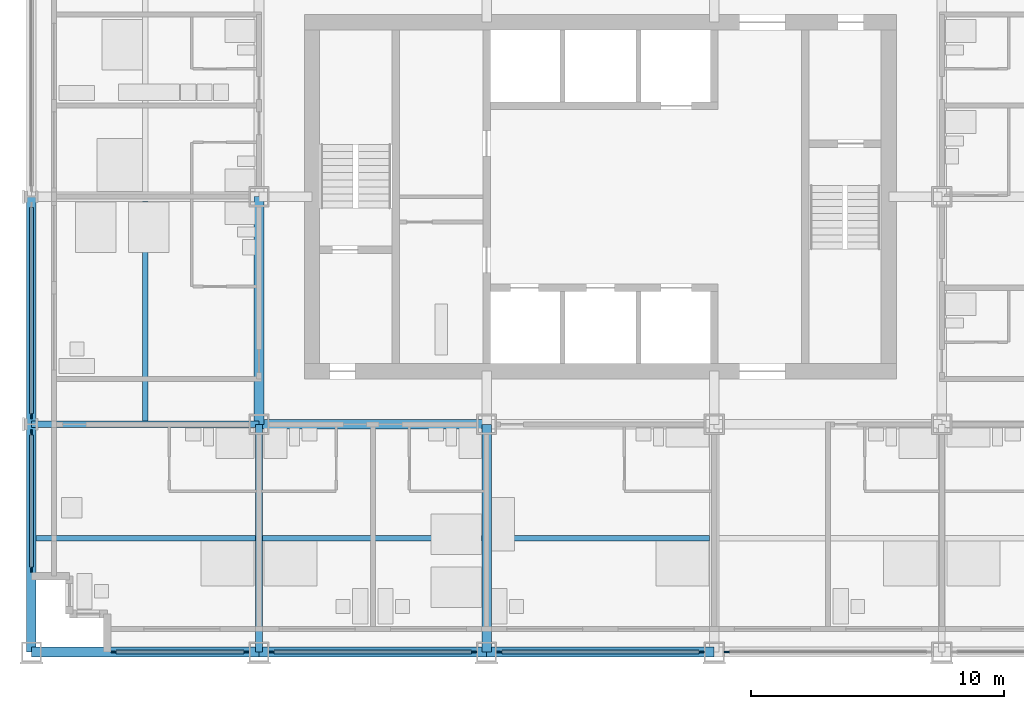
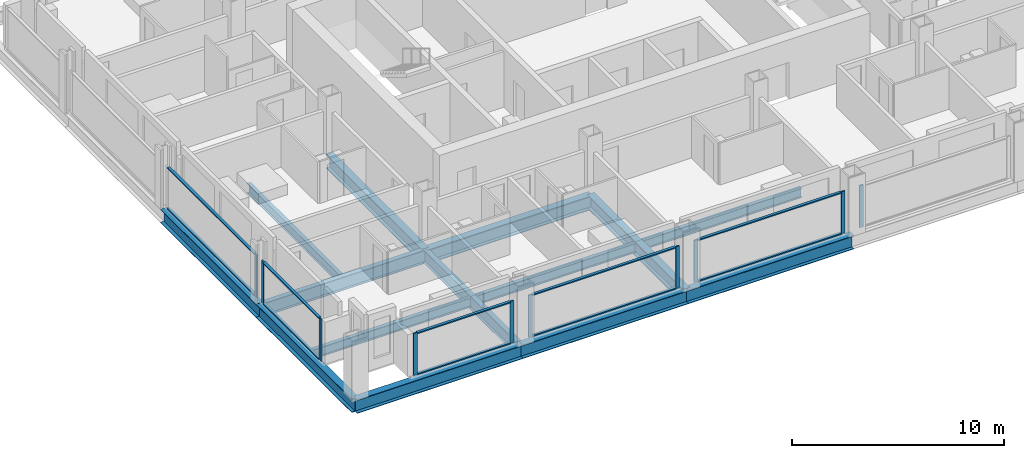
# One storey, part 2 of 17: 20 members, 14 beams, 6 elements without a shape of their own.
"""IFC4 building model written with IfcOpenShell, lengths in metres."""

import ifcopenshell
import ifcopenshell.guid

model = None  # the IFC model being written
_history = None  # IfcOwnerHistory: only IFC2X3 demands one
_inside = {}  # id of a spatial element -> (the spatial element, [elements in it])
_under = {}  # id of a project, library or spatial element -> (it, [spatial elements below it])
_declared = {}  # id of a project -> (the project, [libraries it declares])
_typed = {}  # id of a type object -> (the type object, [elements of that type])
_made_of = {}  # id of a material, layer set ... -> (it, [elements and type objects made of it])


def new_model(schema):
    """Start an empty IFC model of exactly this schema.

    Asked for "IFC4X3", IfcOpenShell would pick the latest addendum, in which some entities
    have other attributes; the version numbers below select the first issue.
    IFC2X3 requires an IfcOwnerHistory on every rooted entity: one is made here for all.
    """
    global model, _history
    if schema == "IFC4X3":
        model = ifcopenshell.file(schema_version=(4, 3, 0, 0))
    else:
        model = ifcopenshell.file(schema=schema)
    _inside.clear()
    _under.clear()
    _declared.clear()
    _typed.clear()
    _made_of.clear()
    _history = None
    if model.schema == "IFC2X3":
        org = make("IfcOrganization", Name="unknown")
        user = make(
            "IfcPersonAndOrganization",
            ThePerson=make("IfcPerson", FamilyName="unknown"),
            TheOrganization=org,
        )
        app = make(
            "IfcApplication",
            ApplicationDeveloper=org,
            Version="unknown",
            ApplicationFullName="unknown",
            ApplicationIdentifier="unknown",
        )
        _history = make(
            "IfcOwnerHistory",
            OwningUser=user,
            OwningApplication=app,
            ChangeAction="ADDED",
            CreationDate=0,
        )
    return model


def make(cls, **values):
    """One entity of the class cls with the attributes given. An attribute that is None is left unset."""
    return model.create_entity(
        cls, **{name: value for name, value in values.items() if value is not None}
    )


def rooted(cls, **values):
    """An entity with a GlobalId (a new one), such as an element, a storey or a relation."""
    return make(cls, GlobalId=ifcopenshell.guid.new(), OwnerHistory=_history, **values)


def si_unit(unit_type, name, prefix=None):
    """IfcSIUnit, for example si_unit("LENGTHUNIT", "METRE", prefix="MILLI")."""
    return make("IfcSIUnit", UnitType=unit_type, Prefix=prefix, Name=name)


def assignment(units):
    """IfcUnitAssignment: the units of a project."""
    return None if units is None else make("IfcUnitAssignment", Units=units)


def point(xyz):
    """IfcCartesianPoint."""
    return None if xyz is None else make("IfcCartesianPoint", Coordinates=xyz)


def direction(xyz):
    """IfcDirection."""
    return None if xyz is None else make("IfcDirection", DirectionRatios=xyz)


def frame(location, z_axis=None, x_axis=None):
    """IfcAxis2Placement3D, a coordinate frame: its origin and axes. An axis left out is left unset."""
    return make(
        "IfcAxis2Placement3D",
        Location=point(location),
        Axis=direction(z_axis),
        RefDirection=direction(x_axis),
    )


def frame_2d(location, x_axis=None):
    """IfcAxis2Placement2D, a coordinate frame in the plane: its origin and x axis."""
    return make(
        "IfcAxis2Placement2D", Location=point(location), RefDirection=direction(x_axis)
    )


def origin():
    """The frame at (0, 0, 0) with its axes left unset."""
    return frame((0.0, 0.0, 0.0))


def origin_2d():
    """The frame at (0, 0) in the plane with its x axis left unset."""
    return frame_2d((0.0, 0.0))


def place(relative_to, where):
    """IfcLocalPlacement: puts the frame where relative to a parent placement (None: the world)."""
    return make(
        "IfcLocalPlacement", PlacementRelTo=relative_to, RelativePlacement=where
    )


def context(
    kind, dimensions, precision=None, world=None, true_north=None, identifier=None
):
    """IfcGeometricRepresentationContext, for example the 3D "Model" context."""
    return make(
        "IfcGeometricRepresentationContext",
        ContextIdentifier=identifier,
        ContextType=kind,
        CoordinateSpaceDimension=dimensions,
        Precision=precision,
        WorldCoordinateSystem=world,
        TrueNorth=true_north,
    )


def subcontext(parent, identifier, kind, view, scale=None):
    """IfcGeometricRepresentationSubContext, for example "Body" below "Model"."""
    return make(
        "IfcGeometricRepresentationSubContext",
        ContextIdentifier=identifier,
        ContextType=kind,
        ParentContext=parent,
        TargetScale=scale,
        TargetView=view,
    )


def project(units=None, contexts=None):
    """IfcProject with its units and contexts."""
    return rooted(
        "IfcProject",
        Name="project",
        RepresentationContexts=contexts,
        UnitsInContext=assignment(units),
    )


def spatial(cls, under=None, at=None, **own):
    """A site, building, storey or space (cls), placed at a placement, below another one or the project."""
    s = rooted(cls, ObjectPlacement=at, **own)
    if under is not None:
        _under.setdefault(under.id(), (under, []))[1].append(s)
    return s


def profile(cls, at=None, kind="AREA", **sizes):
    """A parametric profile (cls). Its sizes go by their IFC names, for example OverallWidth=200.0."""
    return make(cls, ProfileType=kind, Position=at, **sizes)


def rectangle(**sizes):
    """IfcRectangleProfileDef."""
    return profile("IfcRectangleProfileDef", **sizes)


def i_section(**sizes):
    """IfcIShapeProfileDef."""
    return profile("IfcIShapeProfileDef", **sizes)


def extrude(swept, where, along, depth):
    """IfcExtrudedAreaSolid: the profile swept, set in the frame where, extruded along a direction by depth."""
    return make(
        "IfcExtrudedAreaSolid",
        SweptArea=swept,
        Position=where,
        ExtrudedDirection=direction(along),
        Depth=depth,
    )


def shape(context_of_items, identifier, shape_type, items):
    """IfcShapeRepresentation: the items that make up one representation, for example the "Body"."""
    return make(
        "IfcShapeRepresentation",
        ContextOfItems=context_of_items,
        RepresentationIdentifier=identifier,
        RepresentationType=shape_type,
        Items=items,
    )


def material(Name=None, Category=None):
    """IfcMaterial."""
    return make("IfcMaterial", Name=Name, Category=Category)


def material_profile(
    of_material, cross_section, Name=None, Category=None, Priority=None
):
    """IfcMaterialProfile: a cross section and its material."""
    return make(
        "IfcMaterialProfile",
        Name=Name,
        Material=of_material,
        Profile=cross_section,
        Priority=Priority,
        Category=Category,
    )


def profile_set(profiles, Name=None, composite=None):
    """IfcMaterialProfileSet."""
    return make(
        "IfcMaterialProfileSet",
        Name=Name,
        MaterialProfiles=profiles,
        CompositeProfile=composite,
    )


def made_of(thing, what):
    """Note that an element or type object is made of a material, layer set ...; save() writes the relation."""
    if what is not None:
        _made_of.setdefault(what.id(), (what, []))[1].append(thing)
    return thing


def type_object(cls, material=None, **own):
    """A type object (cls), such as IfcWallType, which elements share."""
    return made_of(rooted(cls, **own), material)


def element(
    cls,
    number,
    at=None,
    inside=None,
    cuts=None,
    type_object=None,
    material=None,
    context=None,
    identifier="Body",
    shape_type=None,
    held_by="IfcProductDefinitionShape",
    body=None,
    shapes=None,
    **own,
):
    """One element of the class cls, such as IfcWall. Its Tag is "e" and its number.

    at: its placement. inside: the storey or other place that contains it. cuts: it is an
    opening in that element (IfcRelVoidsElement). A single representation is given by context,
    identifier, shape_type and body (its items); several are given by shapes. held_by: the class
    of the entity that holds the representations. save() writes the other relations.
    """
    e = rooted(cls, Tag="e%d" % number, ObjectPlacement=at, **own)
    if body is not None:
        shapes = [shape(context, identifier, shape_type, body)]
    if shapes is not None:
        e.Representation = make(held_by, Representations=shapes)
    if inside is not None:
        _inside.setdefault(inside.id(), (inside, []))[1].append(e)
    if cuts is not None:
        rooted(
            "IfcRelVoidsElement", RelatingBuildingElement=cuts, RelatedOpeningElement=e
        )
    if type_object is not None:
        _typed.setdefault(type_object.id(), (type_object, []))[1].append(e)
    return made_of(e, material)


def aggregate(whole, parts):
    """IfcRelAggregates: a whole, such as a stair, and the parts it consists of."""
    return rooted("IfcRelAggregates", RelatingObject=whole, RelatedObjects=parts)


def save(model, path):
    """Write the relations noted so far, then the file.

    IfcRelAggregates (storeys below a building ...), IfcRelContainedInSpatialStructure (elements
    in a storey), IfcRelDefinesByType, IfcRelAssociatesMaterial and IfcRelDeclares: one each for
    every whole, place, type object, material and project.
    """
    for whole, parts in _under.values():
        aggregate(whole, parts)
    for where, things in _inside.values():
        rooted(
            "IfcRelContainedInSpatialStructure",
            RelatedElements=things,
            RelatingStructure=where,
        )
    for kind, things in _typed.values():
        rooted("IfcRelDefinesByType", RelatedObjects=things, RelatingType=kind)
    for what, things in _made_of.values():
        rooted("IfcRelAssociatesMaterial", RelatedObjects=things, RelatingMaterial=what)
    for by, libraries in _declared.values():
        rooted("IfcRelDeclares", RelatingContext=by, RelatedDefinitions=libraries)
    model.write(path)


model = new_model("IFC4")

# Units and contexts
model_context = context("Model", 3, precision=1e-05, world=origin(), true_north=direction((0.0, 1.0)))
body_context = subcontext(model_context, "Body", "Model", "MODEL_VIEW")
ifc_project = project(units=[si_unit("LENGTHUNIT", "METRE"), si_unit("AREAUNIT", "SQUARE_METRE"), si_unit("VOLUMEUNIT", "CUBIC_METRE"), si_unit("PLANEANGLEUNIT", "RADIAN"), si_unit("MASSUNIT", "GRAM", prefix="KILO")], contexts=[model_context])

# Site, building, storey
site_placement = place(None, origin())
site = spatial("IfcSite", under=ifc_project, at=site_placement, CompositionType="ELEMENT")
building_placement = place(site_placement, origin())
building = spatial("IfcBuilding", under=site, at=building_placement, Name="Loomwork Tower", CompositionType="ELEMENT")
storey_placement = place(building_placement, frame((0.0, 0.0, 145.199951171875)))
storey = spatial("IfcBuildingStorey", under=building, at=storey_placement, Name="L39", CompositionType="ELEMENT", Elevation=145.199951171875)

# Beams
ifc_material_1 = material(Name="Steel ASTM A992", Category="steel")
ifc_material_profile_1 = material_profile(ifc_material_1, i_section(OverallWidth=0.383544921875, OverallDepth=0.794921875, WebThickness=0.02099609375, FlangeThickness=0.0380859375, at=origin_2d()), Name="W30x235")
ifc_profile_set_1 = profile_set([ifc_material_profile_1], Name="Steel ASTM A992")
beam_type_1 = type_object("IfcBeamType", Name="CORE FLANK GIRDER W30x235", PredefinedType="BEAM", material=ifc_profile_set_1)
for number, where, z_axis, x_axis, name in (
    (1, (9.0, 9.0, -0.597412109375), (1.0, 0.0, 0.0), (0.0, 1.0, 0.0), "Core Flank Girder E/3-E/4 L39"),
    (2, (9.0, 9.0, -0.597412109375), (0.0, 1.0, 0.0), (-1.0, 0.0, 0.0), "Core Flank Girder E/3-F/3 L39"),
    (3, (18.0, 0.0, -0.597412109375), (0.0, 1.0, 0.0), (-1.0, 0.0, 0.0), "Core Flank Girder D/4-E/4 L39"),
):
    element("IfcBeam", number, at=place(storey_placement, frame(where, z_axis=z_axis, x_axis=x_axis)), inside=storey, type_object=beam_type_1, Name=name, PredefinedType="BEAM", context=body_context, shape_type="SweptSolid", body=[
        extrude(i_section(OverallWidth=0.383544921875, OverallDepth=0.794921875, WebThickness=0.02099609375, FlangeThickness=0.0380859375, at=origin_2d()), origin(), (0.0, 0.0, 1.0), 9.0),
    ])
ifc_material_2 = material(Name="Steel ASTM A992", Category="steel")
ifc_material_profile_2 = material_profile(ifc_material_2, i_section(OverallWidth=0.2666015625, OverallDepth=0.761962890625, WebThickness=0.014404296875, FlangeThickness=0.021484375, at=origin_2d()), Name="W30x116")
ifc_profile_set_2 = profile_set([ifc_material_profile_2], Name="Steel ASTM A992")
beam_type_2 = type_object("IfcBeamType", Name="FLOOR GIRDER W30x116", PredefinedType="BEAM", material=ifc_profile_set_2)
for number, where, z_axis, x_axis, name in (
    (4, (0.0, 9.0, -0.5810546875), (1.0, 0.0, 0.0), (0.0, 1.0, 0.0), "Floor Girder E/2-E/3 L39"),
    (5, (9.0, 0.0, -0.5810546875), (0.0, 1.0, 0.0), (-1.0, 0.0, 0.0), "Floor Girder D/3-E/3 L39"),
):
    element("IfcBeam", number, at=place(storey_placement, frame(where, z_axis=z_axis, x_axis=x_axis)), inside=storey, type_object=beam_type_2, Name=name, PredefinedType="BEAM", context=body_context, shape_type="SweptSolid", body=[
        extrude(i_section(OverallWidth=0.2666015625, OverallDepth=0.761962890625, WebThickness=0.014404296875, FlangeThickness=0.021484375, at=origin_2d()), origin(), (0.0, 0.0, 1.0), 9.0),
    ])
ifc_material_3 = material(Name="Steel ASTM A992", Category="steel")
ifc_material_profile_3 = material_profile(ifc_material_3, i_section(OverallWidth=0.2109375, OverallDepth=0.53857421875, WebThickness=0.011474609375, FlangeThickness=0.018798828125, at=origin_2d()), Name="W21x73")
ifc_profile_set_3 = profile_set([ifc_material_profile_3], Name="Steel ASTM A992")
beam_type_3 = type_object("IfcBeamType", Name="FLOOR JOIST W21x73", PredefinedType="JOIST", material=ifc_profile_set_3)
beam_1_placement = place(storey_placement, frame((0.18994140625, 4.5, -0.46923828125), z_axis=(1.0, 0.0, 0.0), x_axis=(0.0, 1.0, 0.0)))
element("IfcBeam", 6, at=beam_1_placement, inside=storey, type_object=beam_type_3, Name="Floor Joist 0.000,4.500-9.000,4.500 L39", PredefinedType="JOIST", context=body_context, shape_type="SweptSolid", body=[
    extrude(i_section(OverallWidth=0.2109375, OverallDepth=0.53857421875, WebThickness=0.011474609375, FlangeThickness=0.018798828125, at=origin_2d()), origin(), (0.0, 0.0, 1.0), 8.677001953125),
])
for number, where, z_axis, x_axis, name in (
    (7, (4.5, 9.133056640625, -0.46923828125), (0.0, 1.0, 0.0), (-1.0, 0.0, 0.0), "Floor Joist 4.500,9.000-4.500,18.000 L39"),
    (8, (9.133056640625, 4.5, -0.46923828125), (1.0, 0.0, 0.0), (0.0, 1.0, 0.0), "Floor Joist 9.000,4.500-18.000,4.500 L39"),
):
    element("IfcBeam", number, at=place(storey_placement, frame(where, z_axis=z_axis, x_axis=x_axis)), inside=storey, type_object=beam_type_3, Name=name, PredefinedType="JOIST", context=body_context, shape_type="SweptSolid", body=[
        extrude(i_section(OverallWidth=0.2109375, OverallDepth=0.53857421875, WebThickness=0.011474609375, FlangeThickness=0.018798828125, at=origin_2d()), origin(), (0.0, 0.0, 1.0), 8.676025390625),
    ])
beam_2_placement = place(storey_placement, frame((18.19091796875, 4.5, -0.46923828125), z_axis=(1.0, 0.0, 0.0), x_axis=(0.0, 1.0, 0.0)))
element("IfcBeam", 9, at=beam_2_placement, inside=storey, type_object=beam_type_3, Name="Floor Joist 18.000,4.500-27.000,4.500 L39", PredefinedType="JOIST", context=body_context, shape_type="SweptSolid", body=[
    extrude(i_section(OverallWidth=0.2109375, OverallDepth=0.53857421875, WebThickness=0.011474609375, FlangeThickness=0.018798828125, at=origin_2d()), origin(), (0.0, 0.0, 1.0), 8.6181640625),
])

# Curtain wall, members
ifc_material_4 = material(Name="Aluminium curtain wall frame", Category="aluminium")
curtain_wall_type = type_object("IfcCurtainWallType", Name="Outer skin glazing hotel", PredefinedType="NOTDEFINED", material=ifc_material_4)
curtain_wall_1_placement = place(storey_placement, origin())
curtain_wall_1 = element("IfcCurtainWall", 10, at=curtain_wall_1_placement, inside=storey, type_object=curtain_wall_type, Name="Outer skin glazing hotel cw/S-0", PredefinedType="NOTDEFINED")
ifc_material_5 = material(Name="Aluminium curtain wall frame", Category="aluminium")
ifc_material_profile_4 = material_profile(ifc_material_5, rectangle(XDim=0.06494140625, YDim=0.199951171875, at=origin_2d()), Name="AL 65x200")
ifc_profile_set_4 = profile_set([ifc_material_profile_4], Name="Aluminium curtain wall frame")
member_type_1 = type_object("IfcMemberType", Name="Outer skin glazing hotel mullion", PredefinedType="MULLION", material=ifc_profile_set_4)
member_1_placement = place(storey_placement, frame((3.25, 0.0, 0.0), z_axis=(0.0, 0.0, 1.0), x_axis=(0.0, 1.0, 0.0)))
member_1 = element("IfcMember", 11, at=member_1_placement, type_object=member_type_1, Name="CW1 mullion 1", PredefinedType="MULLION", context=body_context, shape_type="SweptSolid", body=[
    extrude(rectangle(XDim=0.06494140625, YDim=0.199951171875, at=origin_2d()), origin(), (0.0, 0.0, 1.0), 2.420166015625),
])
member_2_placement = place(storey_placement, frame((8.5, 0.0, 0.0), z_axis=(0.0, 0.0, 1.0), x_axis=(0.0, 1.0, 0.0)))
member_2 = element("IfcMember", 12, at=member_2_placement, type_object=member_type_1, Name="CW1 mullion 2", PredefinedType="MULLION", context=body_context, shape_type="SweptSolid", body=[
    extrude(rectangle(XDim=0.06494140625, YDim=0.199951171875, at=origin_2d()), origin(), (0.0, 0.0, 1.0), 2.420166015625),
])

curtain_wall_2_placement = place(storey_placement, origin())
curtain_wall_2 = element("IfcCurtainWall", 13, at=curtain_wall_2_placement, inside=storey, type_object=curtain_wall_type, Name="Outer skin glazing hotel cw/S-9", PredefinedType="NOTDEFINED")
member_3_placement = place(storey_placement, frame((9.5, 0.0, 0.0), z_axis=(0.0, 0.0, 1.0), x_axis=(0.0, 1.0, 0.0)))
member_3 = element("IfcMember", 14, at=member_3_placement, type_object=member_type_1, Name="CW1 mullion 1", PredefinedType="MULLION", context=body_context, shape_type="SweptSolid", body=[
    extrude(rectangle(XDim=0.06494140625, YDim=0.199951171875, at=origin_2d()), origin(), (0.0, 0.0, 1.0), 2.420166015625),
])
member_4_placement = place(storey_placement, frame((17.5, 0.0, 0.0), z_axis=(0.0, 0.0, 1.0), x_axis=(0.0, 1.0, 0.0)))
member_4 = element("IfcMember", 15, at=member_4_placement, type_object=member_type_1, Name="CW1 mullion 2", PredefinedType="MULLION", context=body_context, shape_type="SweptSolid", body=[
    extrude(rectangle(XDim=0.06494140625, YDim=0.199951171875, at=origin_2d()), origin(), (0.0, 0.0, 1.0), 2.420166015625),
])

curtain_wall_3_placement = place(storey_placement, origin())
curtain_wall_3 = element("IfcCurtainWall", 16, at=curtain_wall_3_placement, inside=storey, type_object=curtain_wall_type, Name="Outer skin glazing hotel cw/S-18", PredefinedType="NOTDEFINED")
member_5_placement = place(storey_placement, frame((18.5, 0.0, 0.0), z_axis=(0.0, 0.0, 1.0), x_axis=(0.0, 1.0, 0.0)))
member_5 = element("IfcMember", 17, at=member_5_placement, type_object=member_type_1, Name="CW1 mullion 1", PredefinedType="MULLION", context=body_context, shape_type="SweptSolid", body=[
    extrude(rectangle(XDim=0.06494140625, YDim=0.199951171875, at=origin_2d()), origin(), (0.0, 0.0, 1.0), 2.420166015625),
])
member_6_placement = place(storey_placement, frame((26.5, 0.0, 0.0), z_axis=(0.0, 0.0, 1.0), x_axis=(0.0, 1.0, 0.0)))
member_6 = element("IfcMember", 18, at=member_6_placement, type_object=member_type_1, Name="CW1 mullion 2", PredefinedType="MULLION", context=body_context, shape_type="SweptSolid", body=[
    extrude(rectangle(XDim=0.06494140625, YDim=0.199951171875, at=origin_2d()), origin(), (0.0, 0.0, 1.0), 2.420166015625),
])

# Curtain wall, member
curtain_wall_4_placement = place(storey_placement, origin())
curtain_wall_4 = element("IfcCurtainWall", 19, at=curtain_wall_4_placement, inside=storey, type_object=curtain_wall_type, Name="Outer skin glazing hotel cw/S-27", PredefinedType="NOTDEFINED")
member_7_placement = place(storey_placement, frame((27.5, 0.0, 0.0), z_axis=(0.0, 0.0, 1.0), x_axis=(0.0, 1.0, 0.0)))
member_7 = element("IfcMember", 20, at=member_7_placement, type_object=member_type_1, Name="CW1 mullion 1", PredefinedType="MULLION", context=body_context, shape_type="SweptSolid", body=[
    extrude(rectangle(XDim=0.06494140625, YDim=0.199951171875, at=origin_2d()), origin(), (0.0, 0.0, 1.0), 2.420166015625),
])
aggregate(curtain_wall_4, [member_7])

# Curtain wall, members
curtain_wall_5_placement = place(storey_placement, origin())
curtain_wall_5 = element("IfcCurtainWall", 21, at=curtain_wall_5_placement, inside=storey, type_object=curtain_wall_type, Name="Outer skin glazing hotel cw/W-0", PredefinedType="NOTDEFINED")
member_8_placement = place(storey_placement, frame((0.0, 8.678955078125, 0.0), z_axis=(0.0, 0.0, 1.0), x_axis=(1.0, 0.0, 0.0)))
member_8 = element("IfcMember", 22, at=member_8_placement, type_object=member_type_1, Name="CW1 mullion 1", PredefinedType="MULLION", context=body_context, shape_type="SweptSolid", body=[
    extrude(rectangle(XDim=0.06494140625, YDim=0.199951171875, at=origin_2d()), origin(), (0.0, 0.0, 1.0), 2.420166015625),
])
member_9_placement = place(storey_placement, frame((0.0, 3.25, 0.0), z_axis=(0.0, 0.0, 1.0), x_axis=(1.0, 0.0, 0.0)))
member_9 = element("IfcMember", 23, at=member_9_placement, type_object=member_type_1, Name="CW1 mullion 2", PredefinedType="MULLION", context=body_context, shape_type="SweptSolid", body=[
    extrude(rectangle(XDim=0.06494140625, YDim=0.199951171875, at=origin_2d()), origin(), (0.0, 0.0, 1.0), 2.420166015625),
])

# Curtain wall, member
curtain_wall_6_placement = place(storey_placement, origin())
curtain_wall_6 = element("IfcCurtainWall", 24, at=curtain_wall_6_placement, inside=storey, type_object=curtain_wall_type, Name="Outer skin glazing hotel cw/W-9", PredefinedType="NOTDEFINED")
member_10_placement = place(storey_placement, frame((0.0, 9.321044921875, 0.0), z_axis=(0.0, 0.0, 1.0), x_axis=(1.0, 0.0, 0.0)))
member_10 = element("IfcMember", 25, at=member_10_placement, type_object=member_type_1, Name="CW1 mullion 2", PredefinedType="MULLION", context=body_context, shape_type="SweptSolid", body=[
    extrude(rectangle(XDim=0.06494140625, YDim=0.199951171875, at=origin_2d()), origin(), (0.0, 0.0, 1.0), 2.420166015625),
])

# Member
ifc_material_6 = material(Name="Aluminium curtain wall frame", Category="aluminium")
ifc_material_profile_5 = material_profile(ifc_material_6, rectangle(XDim=0.14990234375, YDim=0.06494140625, at=origin_2d()), Name="AL 65x150")
ifc_profile_set_5 = profile_set([ifc_material_profile_5], Name="Aluminium curtain wall frame")
member_type_2 = type_object("IfcMemberType", Name="Outer skin glazing hotel transom", PredefinedType="USERDEFINED", material=ifc_profile_set_5)
member_11_placement = place(storey_placement, frame((3.35009765625, 0.0, 0.032470703125), z_axis=(1.0, 0.0, 0.0), x_axis=(0.0, 1.0, 0.0)))
member_11 = element("IfcMember", 26, at=member_11_placement, type_object=member_type_2, Name="CW1 transom 1.1", ObjectType="TRANSOM", PredefinedType="USERDEFINED", context=body_context, shape_type="SweptSolid", body=[
    extrude(rectangle(XDim=0.14990234375, YDim=0.06494140625, at=origin_2d()), origin(), (0.0, 0.0, 1.0), 5.0498046875),
])

member_12_placement = place(storey_placement, frame((3.35009765625, 0.0, 2.3876953125), z_axis=(1.0, 0.0, 0.0), x_axis=(0.0, 1.0, 0.0)))
member_12 = element("IfcMember", 27, at=member_12_placement, type_object=member_type_2, Name="CW1 transom 1.2", ObjectType="TRANSOM", PredefinedType="USERDEFINED", context=body_context, shape_type="SweptSolid", body=[
    extrude(rectangle(XDim=0.14990234375, YDim=0.06494140625, at=origin_2d()), origin(), (0.0, 0.0, 1.0), 5.0498046875),
])

aggregate(curtain_wall_1, [member_1, member_2, member_11, member_12])

member_13_placement = place(storey_placement, frame((9.60009765625, 0.0, 0.032470703125), z_axis=(1.0, 0.0, 0.0), x_axis=(0.0, 1.0, 0.0)))
member_13 = element("IfcMember", 28, at=member_13_placement, type_object=member_type_2, Name="CW1 transom 1.1", ObjectType="TRANSOM", PredefinedType="USERDEFINED", context=body_context, shape_type="SweptSolid", body=[
    extrude(rectangle(XDim=0.14990234375, YDim=0.06494140625, at=origin_2d()), origin(), (0.0, 0.0, 1.0), 7.7998046875),
])

member_14_placement = place(storey_placement, frame((9.60009765625, 0.0, 2.3876953125), z_axis=(1.0, 0.0, 0.0), x_axis=(0.0, 1.0, 0.0)))
member_14 = element("IfcMember", 29, at=member_14_placement, type_object=member_type_2, Name="CW1 transom 1.2", ObjectType="TRANSOM", PredefinedType="USERDEFINED", context=body_context, shape_type="SweptSolid", body=[
    extrude(rectangle(XDim=0.14990234375, YDim=0.06494140625, at=origin_2d()), origin(), (0.0, 0.0, 1.0), 7.7998046875),
])

aggregate(curtain_wall_2, [member_3, member_4, member_13, member_14])

member_15_placement = place(storey_placement, frame((18.60009765625, 0.0, 0.032470703125), z_axis=(1.0, 0.0, 0.0), x_axis=(0.0, 1.0, 0.0)))
member_15 = element("IfcMember", 30, at=member_15_placement, type_object=member_type_2, Name="CW1 transom 1.1", ObjectType="TRANSOM", PredefinedType="USERDEFINED", context=body_context, shape_type="SweptSolid", body=[
    extrude(rectangle(XDim=0.14990234375, YDim=0.06494140625, at=origin_2d()), origin(), (0.0, 0.0, 1.0), 7.7998046875),
])

member_16_placement = place(storey_placement, frame((18.60009765625, 0.0, 2.3876953125), z_axis=(1.0, 0.0, 0.0), x_axis=(0.0, 1.0, 0.0)))
member_16 = element("IfcMember", 31, at=member_16_placement, type_object=member_type_2, Name="CW1 transom 1.2", ObjectType="TRANSOM", PredefinedType="USERDEFINED", context=body_context, shape_type="SweptSolid", body=[
    extrude(rectangle(XDim=0.14990234375, YDim=0.06494140625, at=origin_2d()), origin(), (0.0, 0.0, 1.0), 7.7998046875),
])

aggregate(curtain_wall_3, [member_5, member_6, member_15, member_16])

member_17_placement = place(storey_placement, frame((0.0, 8.5791015625, 0.032470703125), z_axis=(0.0, -1.0, 0.0), x_axis=(1.0, 0.0, 0.0)))
member_17 = element("IfcMember", 32, at=member_17_placement, type_object=member_type_2, Name="CW1 transom 1.1", ObjectType="TRANSOM", PredefinedType="USERDEFINED", context=body_context, shape_type="SweptSolid", body=[
    extrude(rectangle(XDim=0.14990234375, YDim=0.06494140625, at=origin_2d()), origin(), (0.0, 0.0, 1.0), 5.22900390625),
])

member_18_placement = place(storey_placement, frame((0.0, 8.5791015625, 2.3876953125), z_axis=(0.0, -1.0, 0.0), x_axis=(1.0, 0.0, 0.0)))
member_18 = element("IfcMember", 33, at=member_18_placement, type_object=member_type_2, Name="CW1 transom 1.2", ObjectType="TRANSOM", PredefinedType="USERDEFINED", context=body_context, shape_type="SweptSolid", body=[
    extrude(rectangle(XDim=0.14990234375, YDim=0.06494140625, at=origin_2d()), origin(), (0.0, 0.0, 1.0), 5.22900390625),
])

aggregate(curtain_wall_5, [member_8, member_9, member_17, member_18])

member_19_placement = place(storey_placement, frame((0.0, 17.5791015625, 0.032470703125), z_axis=(0.0, -1.0, 0.0), x_axis=(1.0, 0.0, 0.0)))
member_19 = element("IfcMember", 34, at=member_19_placement, type_object=member_type_2, Name="CW1 transom 1.1", ObjectType="TRANSOM", PredefinedType="USERDEFINED", context=body_context, shape_type="SweptSolid", body=[
    extrude(rectangle(XDim=0.14990234375, YDim=0.06494140625, at=origin_2d()), origin(), (0.0, 0.0, 1.0), 8.158203125),
])

member_20_placement = place(storey_placement, frame((0.0, 17.5791015625, 2.3876953125), z_axis=(0.0, -1.0, 0.0), x_axis=(1.0, 0.0, 0.0)))
member_20 = element("IfcMember", 35, at=member_20_placement, type_object=member_type_2, Name="CW1 transom 1.2", ObjectType="TRANSOM", PredefinedType="USERDEFINED", context=body_context, shape_type="SweptSolid", body=[
    extrude(rectangle(XDim=0.14990234375, YDim=0.06494140625, at=origin_2d()), origin(), (0.0, 0.0, 1.0), 8.158203125),
])

aggregate(curtain_wall_6, [member_10, member_19, member_20])

# Beams
ifc_material_7 = material(Name="Steel ASTM A992", Category="steel")
ifc_material_profile_6 = material_profile(ifc_material_7, i_section(OverallWidth=0.381103515625, OverallDepth=0.77978515625, WebThickness=0.01806640625, FlangeThickness=0.0302734375, at=origin_2d()), Name="W30x191")
ifc_profile_set_6 = profile_set([ifc_material_profile_6], Name="Steel ASTM A992")
beam_type_4 = type_object("IfcBeamType", Name="SPANDREL GIRDER W30x191", PredefinedType="SPANDREL", material=ifc_profile_set_6)
for number, where, z_axis, x_axis, name in (
    (36, (0.0, 0.0, -0.58984375), (1.0, 0.0, 0.0), (0.0, 1.0, 0.0), "Spandrel Girder D/2-D/3 L39"),
    (37, (9.0, 0.0, -0.58984375), (1.0, 0.0, 0.0), (0.0, 1.0, 0.0), "Spandrel Girder D/3-D/4 L39"),
    (38, (18.0, 0.0, -0.58984375), (1.0, 0.0, 0.0), (0.0, 1.0, 0.0), "Spandrel Girder D/4-D/5 L39"),
    (39, (0.0, 0.0, -0.58984375), (0.0, 1.0, 0.0), (-1.0, 0.0, 0.0), "Spandrel Girder D/2-E/2 L39"),
    (40, (0.0, 9.0, -0.58984375), (0.0, 1.0, 0.0), (-1.0, 0.0, 0.0), "Spandrel Girder E/2-F/2 L39"),
):
    element("IfcBeam", number, at=place(storey_placement, frame(where, z_axis=z_axis, x_axis=x_axis)), inside=storey, type_object=beam_type_4, Name=name, PredefinedType="SPANDREL", context=body_context, shape_type="SweptSolid", body=[
        extrude(i_section(OverallWidth=0.381103515625, OverallDepth=0.77978515625, WebThickness=0.01806640625, FlangeThickness=0.0302734375, at=origin_2d()), origin(), (0.0, 0.0, 1.0), 9.0),
    ])

save(model, "model.ifc")
